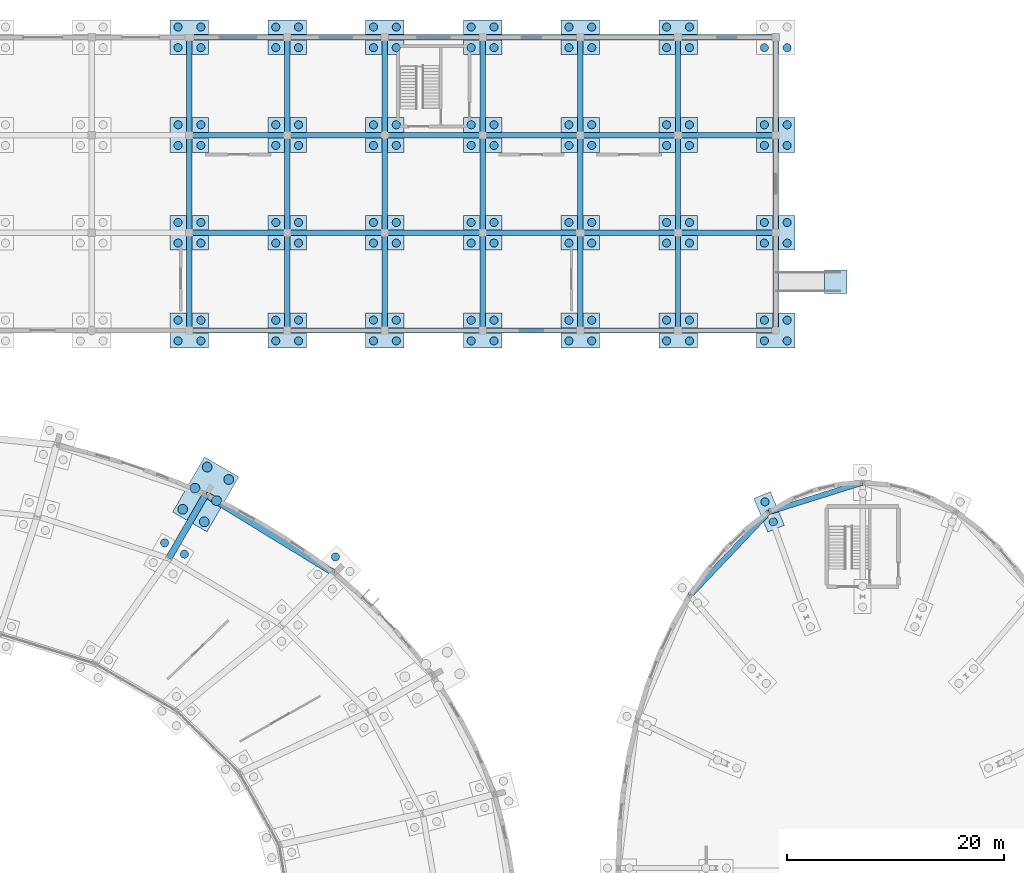
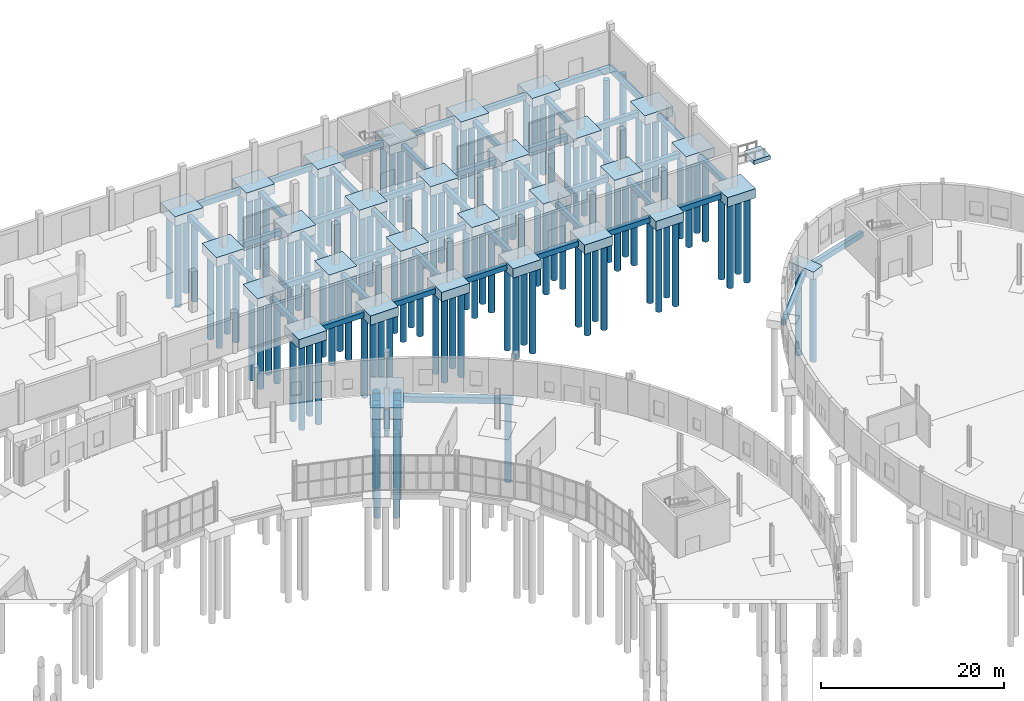
# One storey, part 12 of 118: 121 piles, 79 footings.
"""IFC4 building model written with IfcOpenShell, lengths in metres."""

from ifc_helpers import new_model, si_unit, direction, frame, origin, origin_2d, place, context, subcontext, project, spatial, rectangle, circle, extrude, material, material_profile, profile_set, type_object, element, save


model = new_model("IFC4")

# Units and contexts
model_context = context("Model", 3, precision=1e-05, world=origin(), true_north=direction((0.0, 1.0)))
body_context = subcontext(model_context, "Body", "Model", "MODEL_VIEW")
ifc_project = project(units=[si_unit("LENGTHUNIT", "METRE"), si_unit("AREAUNIT", "SQUARE_METRE"), si_unit("VOLUMEUNIT", "CUBIC_METRE"), si_unit("PLANEANGLEUNIT", "RADIAN"), si_unit("MASSUNIT", "GRAM", prefix="KILO")], contexts=[model_context])

# Site, building, storey
site_placement = place(None, origin())
site = spatial("IfcSite", under=ifc_project, at=site_placement, CompositionType="ELEMENT")
building_placement = place(site_placement, origin())
building = spatial("IfcBuilding", under=site, at=building_placement, Name="Kildeholm Park Wholesale Market", CompositionType="ELEMENT")
storey_placement = place(building_placement, origin())
storey = spatial("IfcBuildingStorey", under=building, at=storey_placement, Name="L00", CompositionType="ELEMENT", Elevation=0.0)

# Piles
ifc_material = material(Name="Concrete C35/45", Category="concrete")
ifc_material_profile_1 = material_profile(ifc_material, circle(Radius=0.375, at=origin_2d()), Name="PILE D750")
ifc_profile_set_1 = profile_set([ifc_material_profile_1], Name="Concrete C35/45")
pile_type_1 = type_object("IfcPileType", Name="Bored pile 750 mm", PredefinedType="BORED", material=ifc_profile_set_1)
pile_placement = place(storey_placement, frame((139.4462890625, 123.157958984375, -1.25), z_axis=(0.0, 0.0, -1.0), x_axis=(1.0, 0.0, 0.0)))
element("IfcPile", 1, at=pile_placement, inside=storey, type_object=pile_type_1, Name="Bored pile V1-OT-03.4 PIL-0052", PredefinedType="BORED", context=body_context, shape_type="SweptSolid", body=[
    extrude(circle(Radius=0.375, at=origin_2d()), origin(), (0.0, 0.0, 1.0), 11.25),
])
for number, where, z_axis, x_axis, name in (
    (2, (125.5341796875, 123.3994140625, -1.199951171875), (0.0, 0.0, -1.0), (1.0, 0.0, 0.0), "Bored pile V1-MD-04.2 PIL-0058"),
    (3, (123.7158203125, 124.44921875, -1.199951171875), (0.0, 0.0, -1.0), (1.0, 0.0, 0.0), "Bored pile V1-MD-04.4 PIL-0060"),
):
    element("IfcPile", number, at=place(storey_placement, frame(where, z_axis=z_axis, x_axis=x_axis)), inside=storey, type_object=pile_type_1, Name=name, PredefinedType="BORED", context=body_context, shape_type="SweptSolid", body=[
        extrude(circle(Radius=0.375, at=origin_2d()), origin(), (0.0, 0.0, 1.0), 11.300048828125),
    ])
for number, where, z_axis, x_axis, name in (
    (4, (179.772705078125, 126.3740234375, -0.949951171875), (0.0, 0.0, -1.0), (1.0, 0.0, 0.0), "Bored pile V2-OT-05.1 PIL-0335"),
    (5, (179.00732421875, 128.221923828125, -0.949951171875), (0.0, 0.0, -1.0), (1.0, 0.0, 0.0), "Bored pile V2-OT-05.2 PIL-0336"),
):
    element("IfcPile", number, at=place(storey_placement, frame(where, z_axis=z_axis, x_axis=x_axis)), inside=storey, type_object=pile_type_1, Name=name, PredefinedType="BORED", context=body_context, shape_type="SweptSolid", body=[
        extrude(circle(Radius=0.375, at=origin_2d()), origin(), (0.0, 0.0, 1.0), 11.550048828125),
    ])
for number, where, z_axis, x_axis, name in (
    (6, (124.949951171875, 143.050048828125, -1.14990234375), (0.0, 0.0, -1.0), (1.0, 0.0, 0.0), "Bored pile V4-126-144.1 PIL-0749"),
    (7, (127.050048828125, 143.050048828125, -1.14990234375), (0.0, 0.0, -1.0), (1.0, 0.0, 0.0), "Bored pile V4-126-144.2 PIL-0750"),
    (8, (124.949951171875, 144.949951171875, -1.14990234375), (0.0, 0.0, -1.0), (1.0, 0.0, 0.0), "Bored pile V4-126-144.3 PIL-0751"),
    (9, (127.050048828125, 144.949951171875, -1.14990234375), (0.0, 0.0, -1.0), (1.0, 0.0, 0.0), "Bored pile V4-126-144.4 PIL-0752"),
    (10, (124.949951171875, 152.050048828125, -1.14990234375), (0.0, 0.0, -1.0), (1.0, 0.0, 0.0), "Bored pile V4-126-153.1 PIL-0753"),
    (11, (127.050048828125, 152.050048828125, -1.14990234375), (0.0, 0.0, -1.0), (1.0, 0.0, 0.0), "Bored pile V4-126-153.2 PIL-0754"),
    (12, (124.949951171875, 153.949951171875, -1.14990234375), (0.0, 0.0, -1.0), (1.0, 0.0, 0.0), "Bored pile V4-126-153.3 PIL-0755"),
    (13, (127.050048828125, 153.949951171875, -1.14990234375), (0.0, 0.0, -1.0), (1.0, 0.0, 0.0), "Bored pile V4-126-153.4 PIL-0756"),
    (14, (124.949951171875, 161.050048828125, -1.14990234375), (0.0, 0.0, -1.0), (1.0, 0.0, 0.0), "Bored pile V4-126-162.1 PIL-0757"),
    (15, (127.050048828125, 161.050048828125, -1.14990234375), (0.0, 0.0, -1.0), (1.0, 0.0, 0.0), "Bored pile V4-126-162.2 PIL-0758"),
    (16, (124.949951171875, 162.949951171875, -1.14990234375), (0.0, 0.0, -1.0), (1.0, 0.0, 0.0), "Bored pile V4-126-162.3 PIL-0759"),
    (17, (127.050048828125, 162.949951171875, -1.14990234375), (0.0, 0.0, -1.0), (1.0, 0.0, 0.0), "Bored pile V4-126-162.4 PIL-0760"),
    (18, (124.949951171875, 170.050048828125, -1.14990234375), (0.0, 0.0, -1.0), (1.0, 0.0, 0.0), "Bored pile V4-126-171.1 PIL-0761"),
    (19, (127.050048828125, 170.050048828125, -1.14990234375), (0.0, 0.0, -1.0), (1.0, 0.0, 0.0), "Bored pile V4-126-171.2 PIL-0762"),
    (20, (124.949951171875, 171.949951171875, -1.14990234375), (0.0, 0.0, -1.0), (1.0, 0.0, 0.0), "Bored pile V4-126-171.3 PIL-0763"),
    (21, (127.050048828125, 171.949951171875, -1.14990234375), (0.0, 0.0, -1.0), (1.0, 0.0, 0.0), "Bored pile V4-126-171.4 PIL-0764"),
    (22, (133.949951171875, 143.050048828125, -1.14990234375), (0.0, 0.0, -1.0), (1.0, 0.0, 0.0), "Bored pile V4-135-144.1 PIL-0765"),
    (23, (136.050048828125, 143.050048828125, -1.14990234375), (0.0, 0.0, -1.0), (1.0, 0.0, 0.0), "Bored pile V4-135-144.2 PIL-0766"),
    (24, (133.949951171875, 144.949951171875, -1.14990234375), (0.0, 0.0, -1.0), (1.0, 0.0, 0.0), "Bored pile V4-135-144.3 PIL-0767"),
    (25, (136.050048828125, 144.949951171875, -1.14990234375), (0.0, 0.0, -1.0), (1.0, 0.0, 0.0), "Bored pile V4-135-144.4 PIL-0768"),
    (26, (133.949951171875, 152.050048828125, -1.14990234375), (0.0, 0.0, -1.0), (1.0, 0.0, 0.0), "Bored pile V4-135-153.1 PIL-0769"),
    (27, (136.050048828125, 152.050048828125, -1.14990234375), (0.0, 0.0, -1.0), (1.0, 0.0, 0.0), "Bored pile V4-135-153.2 PIL-0770"),
    (28, (133.949951171875, 153.949951171875, -1.14990234375), (0.0, 0.0, -1.0), (1.0, 0.0, 0.0), "Bored pile V4-135-153.3 PIL-0771"),
    (29, (136.050048828125, 153.949951171875, -1.14990234375), (0.0, 0.0, -1.0), (1.0, 0.0, 0.0), "Bored pile V4-135-153.4 PIL-0772"),
    (30, (133.949951171875, 161.050048828125, -1.14990234375), (0.0, 0.0, -1.0), (1.0, 0.0, 0.0), "Bored pile V4-135-162.1 PIL-0773"),
    (31, (136.050048828125, 161.050048828125, -1.14990234375), (0.0, 0.0, -1.0), (1.0, 0.0, 0.0), "Bored pile V4-135-162.2 PIL-0774"),
    (32, (133.949951171875, 162.949951171875, -1.14990234375), (0.0, 0.0, -1.0), (1.0, 0.0, 0.0), "Bored pile V4-135-162.3 PIL-0775"),
    (33, (136.050048828125, 162.949951171875, -1.14990234375), (0.0, 0.0, -1.0), (1.0, 0.0, 0.0), "Bored pile V4-135-162.4 PIL-0776"),
    (34, (133.949951171875, 170.050048828125, -1.14990234375), (0.0, 0.0, -1.0), (1.0, 0.0, 0.0), "Bored pile V4-135-171.1 PIL-0777"),
    (35, (136.050048828125, 170.050048828125, -1.14990234375), (0.0, 0.0, -1.0), (1.0, 0.0, 0.0), "Bored pile V4-135-171.2 PIL-0778"),
    (36, (133.949951171875, 171.949951171875, -1.14990234375), (0.0, 0.0, -1.0), (1.0, 0.0, 0.0), "Bored pile V4-135-171.3 PIL-0779"),
    (37, (136.050048828125, 171.949951171875, -1.14990234375), (0.0, 0.0, -1.0), (1.0, 0.0, 0.0), "Bored pile V4-135-171.4 PIL-0780"),
    (38, (142.949951171875, 143.050048828125, -1.14990234375), (0.0, 0.0, -1.0), (1.0, 0.0, 0.0), "Bored pile V4-144-144.1 PIL-0781"),
    (39, (145.050048828125, 143.050048828125, -1.14990234375), (0.0, 0.0, -1.0), (1.0, 0.0, 0.0), "Bored pile V4-144-144.2 PIL-0782"),
    (40, (142.949951171875, 144.949951171875, -1.14990234375), (0.0, 0.0, -1.0), (1.0, 0.0, 0.0), "Bored pile V4-144-144.3 PIL-0783"),
    (41, (145.050048828125, 144.949951171875, -1.14990234375), (0.0, 0.0, -1.0), (1.0, 0.0, 0.0), "Bored pile V4-144-144.4 PIL-0784"),
    (42, (142.949951171875, 152.050048828125, -1.14990234375), (0.0, 0.0, -1.0), (1.0, 0.0, 0.0), "Bored pile V4-144-153.1 PIL-0785"),
    (43, (145.050048828125, 152.050048828125, -1.14990234375), (0.0, 0.0, -1.0), (1.0, 0.0, 0.0), "Bored pile V4-144-153.2 PIL-0786"),
    (44, (142.949951171875, 153.949951171875, -1.14990234375), (0.0, 0.0, -1.0), (1.0, 0.0, 0.0), "Bored pile V4-144-153.3 PIL-0787"),
    (45, (145.050048828125, 153.949951171875, -1.14990234375), (0.0, 0.0, -1.0), (1.0, 0.0, 0.0), "Bored pile V4-144-153.4 PIL-0788"),
    (46, (142.949951171875, 161.050048828125, -1.14990234375), (0.0, 0.0, -1.0), (1.0, 0.0, 0.0), "Bored pile V4-144-162.1 PIL-0789"),
    (47, (145.050048828125, 161.050048828125, -1.14990234375), (0.0, 0.0, -1.0), (1.0, 0.0, 0.0), "Bored pile V4-144-162.2 PIL-0790"),
    (48, (142.949951171875, 162.949951171875, -1.14990234375), (0.0, 0.0, -1.0), (1.0, 0.0, 0.0), "Bored pile V4-144-162.3 PIL-0791"),
    (49, (145.050048828125, 162.949951171875, -1.14990234375), (0.0, 0.0, -1.0), (1.0, 0.0, 0.0), "Bored pile V4-144-162.4 PIL-0792"),
    (50, (142.949951171875, 170.050048828125, -1.14990234375), (0.0, 0.0, -1.0), (1.0, 0.0, 0.0), "Bored pile V4-144-171.1 PIL-0793"),
    (51, (145.050048828125, 170.050048828125, -1.14990234375), (0.0, 0.0, -1.0), (1.0, 0.0, 0.0), "Bored pile V4-144-171.2 PIL-0794"),
    (52, (142.949951171875, 171.949951171875, -1.14990234375), (0.0, 0.0, -1.0), (1.0, 0.0, 0.0), "Bored pile V4-144-171.3 PIL-0795"),
    (53, (145.050048828125, 171.949951171875, -1.14990234375), (0.0, 0.0, -1.0), (1.0, 0.0, 0.0), "Bored pile V4-144-171.4 PIL-0796"),
    (54, (151.949951171875, 143.050048828125, -1.14990234375), (0.0, 0.0, -1.0), (1.0, 0.0, 0.0), "Bored pile V4-153-144.1 PIL-0797"),
    (55, (154.050048828125, 143.050048828125, -1.14990234375), (0.0, 0.0, -1.0), (1.0, 0.0, 0.0), "Bored pile V4-153-144.2 PIL-0798"),
    (56, (151.949951171875, 144.949951171875, -1.14990234375), (0.0, 0.0, -1.0), (1.0, 0.0, 0.0), "Bored pile V4-153-144.3 PIL-0799"),
    (57, (154.050048828125, 144.949951171875, -1.14990234375), (0.0, 0.0, -1.0), (1.0, 0.0, 0.0), "Bored pile V4-153-144.4 PIL-0800"),
    (58, (151.949951171875, 152.050048828125, -1.14990234375), (0.0, 0.0, -1.0), (1.0, 0.0, 0.0), "Bored pile V4-153-153.1 PIL-0801"),
    (59, (154.050048828125, 152.050048828125, -1.14990234375), (0.0, 0.0, -1.0), (1.0, 0.0, 0.0), "Bored pile V4-153-153.2 PIL-0802"),
    (60, (151.949951171875, 153.949951171875, -1.14990234375), (0.0, 0.0, -1.0), (1.0, 0.0, 0.0), "Bored pile V4-153-153.3 PIL-0803"),
    (61, (154.050048828125, 153.949951171875, -1.14990234375), (0.0, 0.0, -1.0), (1.0, 0.0, 0.0), "Bored pile V4-153-153.4 PIL-0804"),
    (62, (151.949951171875, 161.050048828125, -1.14990234375), (0.0, 0.0, -1.0), (1.0, 0.0, 0.0), "Bored pile V4-153-162.1 PIL-0805"),
    (63, (154.050048828125, 161.050048828125, -1.14990234375), (0.0, 0.0, -1.0), (1.0, 0.0, 0.0), "Bored pile V4-153-162.2 PIL-0806"),
    (64, (151.949951171875, 162.949951171875, -1.14990234375), (0.0, 0.0, -1.0), (1.0, 0.0, 0.0), "Bored pile V4-153-162.3 PIL-0807"),
    (65, (154.050048828125, 162.949951171875, -1.14990234375), (0.0, 0.0, -1.0), (1.0, 0.0, 0.0), "Bored pile V4-153-162.4 PIL-0808"),
    (66, (151.949951171875, 170.050048828125, -1.14990234375), (0.0, 0.0, -1.0), (1.0, 0.0, 0.0), "Bored pile V4-153-171.1 PIL-0809"),
    (67, (154.050048828125, 170.050048828125, -1.14990234375), (0.0, 0.0, -1.0), (1.0, 0.0, 0.0), "Bored pile V4-153-171.2 PIL-0810"),
    (68, (151.949951171875, 171.949951171875, -1.14990234375), (0.0, 0.0, -1.0), (1.0, 0.0, 0.0), "Bored pile V4-153-171.3 PIL-0811"),
    (69, (154.050048828125, 171.949951171875, -1.14990234375), (0.0, 0.0, -1.0), (1.0, 0.0, 0.0), "Bored pile V4-153-171.4 PIL-0812"),
    (70, (160.949951171875, 143.050048828125, -1.14990234375), (0.0, 0.0, -1.0), (1.0, 0.0, 0.0), "Bored pile V4-162-144.1 PIL-0813"),
    (71, (163.050048828125, 143.050048828125, -1.14990234375), (0.0, 0.0, -1.0), (1.0, 0.0, 0.0), "Bored pile V4-162-144.2 PIL-0814"),
    (72, (160.949951171875, 144.949951171875, -1.14990234375), (0.0, 0.0, -1.0), (1.0, 0.0, 0.0), "Bored pile V4-162-144.3 PIL-0815"),
    (73, (163.050048828125, 144.949951171875, -1.14990234375), (0.0, 0.0, -1.0), (1.0, 0.0, 0.0), "Bored pile V4-162-144.4 PIL-0816"),
    (74, (160.949951171875, 152.050048828125, -1.14990234375), (0.0, 0.0, -1.0), (1.0, 0.0, 0.0), "Bored pile V4-162-153.1 PIL-0817"),
    (75, (163.050048828125, 152.050048828125, -1.14990234375), (0.0, 0.0, -1.0), (1.0, 0.0, 0.0), "Bored pile V4-162-153.2 PIL-0818"),
    (76, (160.949951171875, 153.949951171875, -1.14990234375), (0.0, 0.0, -1.0), (1.0, 0.0, 0.0), "Bored pile V4-162-153.3 PIL-0819"),
    (77, (163.050048828125, 153.949951171875, -1.14990234375), (0.0, 0.0, -1.0), (1.0, 0.0, 0.0), "Bored pile V4-162-153.4 PIL-0820"),
    (78, (160.949951171875, 161.050048828125, -1.14990234375), (0.0, 0.0, -1.0), (1.0, 0.0, 0.0), "Bored pile V4-162-162.1 PIL-0821"),
    (79, (163.050048828125, 161.050048828125, -1.14990234375), (0.0, 0.0, -1.0), (1.0, 0.0, 0.0), "Bored pile V4-162-162.2 PIL-0822"),
    (80, (160.949951171875, 162.949951171875, -1.14990234375), (0.0, 0.0, -1.0), (1.0, 0.0, 0.0), "Bored pile V4-162-162.3 PIL-0823"),
    (81, (163.050048828125, 162.949951171875, -1.14990234375), (0.0, 0.0, -1.0), (1.0, 0.0, 0.0), "Bored pile V4-162-162.4 PIL-0824"),
    (82, (160.949951171875, 170.050048828125, -1.14990234375), (0.0, 0.0, -1.0), (1.0, 0.0, 0.0), "Bored pile V4-162-171.1 PIL-0825"),
    (83, (163.050048828125, 170.050048828125, -1.14990234375), (0.0, 0.0, -1.0), (1.0, 0.0, 0.0), "Bored pile V4-162-171.2 PIL-0826"),
    (84, (160.949951171875, 171.949951171875, -1.14990234375), (0.0, 0.0, -1.0), (1.0, 0.0, 0.0), "Bored pile V4-162-171.3 PIL-0827"),
    (85, (163.050048828125, 171.949951171875, -1.14990234375), (0.0, 0.0, -1.0), (1.0, 0.0, 0.0), "Bored pile V4-162-171.4 PIL-0828"),
    (86, (169.949951171875, 143.050048828125, -1.14990234375), (0.0, 0.0, -1.0), (1.0, 0.0, 0.0), "Bored pile V4-171-144.1 PIL-0829"),
    (87, (172.050048828125, 143.050048828125, -1.14990234375), (0.0, 0.0, -1.0), (1.0, 0.0, 0.0), "Bored pile V4-171-144.2 PIL-0830"),
    (88, (169.949951171875, 144.949951171875, -1.14990234375), (0.0, 0.0, -1.0), (1.0, 0.0, 0.0), "Bored pile V4-171-144.3 PIL-0831"),
    (89, (172.050048828125, 144.949951171875, -1.14990234375), (0.0, 0.0, -1.0), (1.0, 0.0, 0.0), "Bored pile V4-171-144.4 PIL-0832"),
    (90, (169.949951171875, 152.050048828125, -1.14990234375), (0.0, 0.0, -1.0), (1.0, 0.0, 0.0), "Bored pile V4-171-153.1 PIL-0833"),
    (91, (172.050048828125, 152.050048828125, -1.14990234375), (0.0, 0.0, -1.0), (1.0, 0.0, 0.0), "Bored pile V4-171-153.2 PIL-0834"),
    (92, (169.949951171875, 153.949951171875, -1.14990234375), (0.0, 0.0, -1.0), (1.0, 0.0, 0.0), "Bored pile V4-171-153.3 PIL-0835"),
    (93, (172.050048828125, 153.949951171875, -1.14990234375), (0.0, 0.0, -1.0), (1.0, 0.0, 0.0), "Bored pile V4-171-153.4 PIL-0836"),
    (94, (169.949951171875, 161.050048828125, -1.14990234375), (0.0, 0.0, -1.0), (1.0, 0.0, 0.0), "Bored pile V4-171-162.1 PIL-0837"),
    (95, (172.050048828125, 161.050048828125, -1.14990234375), (0.0, 0.0, -1.0), (1.0, 0.0, 0.0), "Bored pile V4-171-162.2 PIL-0838"),
    (96, (169.949951171875, 162.949951171875, -1.14990234375), (0.0, 0.0, -1.0), (1.0, 0.0, 0.0), "Bored pile V4-171-162.3 PIL-0839"),
    (97, (172.050048828125, 162.949951171875, -1.14990234375), (0.0, 0.0, -1.0), (1.0, 0.0, 0.0), "Bored pile V4-171-162.4 PIL-0840"),
    (98, (169.949951171875, 170.050048828125, -1.14990234375), (0.0, 0.0, -1.0), (1.0, 0.0, 0.0), "Bored pile V4-171-171.1 PIL-0841"),
    (99, (172.050048828125, 170.050048828125, -1.14990234375), (0.0, 0.0, -1.0), (1.0, 0.0, 0.0), "Bored pile V4-171-171.2 PIL-0842"),
    (100, (169.949951171875, 171.949951171875, -1.14990234375), (0.0, 0.0, -1.0), (1.0, 0.0, 0.0), "Bored pile V4-171-171.3 PIL-0843"),
    (101, (172.050048828125, 171.949951171875, -1.14990234375), (0.0, 0.0, -1.0), (1.0, 0.0, 0.0), "Bored pile V4-171-171.4 PIL-0844"),
    (102, (178.949951171875, 143.050048828125, -1.14990234375), (0.0, 0.0, -1.0), (1.0, 0.0, 0.0), "Bored pile V4-180-144.1 PIL-0845"),
    (103, (181.050048828125, 143.050048828125, -1.14990234375), (0.0, 0.0, -1.0), (1.0, 0.0, 0.0), "Bored pile V4-180-144.2 PIL-0846"),
    (104, (178.949951171875, 144.949951171875, -1.14990234375), (0.0, 0.0, -1.0), (1.0, 0.0, 0.0), "Bored pile V4-180-144.3 PIL-0847"),
    (105, (181.050048828125, 144.949951171875, -1.14990234375), (0.0, 0.0, -1.0), (1.0, 0.0, 0.0), "Bored pile V4-180-144.4 PIL-0848"),
    (106, (178.949951171875, 152.050048828125, -1.14990234375), (0.0, 0.0, -1.0), (1.0, 0.0, 0.0), "Bored pile V4-180-153.1 PIL-0849"),
    (107, (181.050048828125, 152.050048828125, -1.14990234375), (0.0, 0.0, -1.0), (1.0, 0.0, 0.0), "Bored pile V4-180-153.2 PIL-0850"),
    (108, (178.949951171875, 153.949951171875, -1.14990234375), (0.0, 0.0, -1.0), (1.0, 0.0, 0.0), "Bored pile V4-180-153.3 PIL-0851"),
    (109, (181.050048828125, 153.949951171875, -1.14990234375), (0.0, 0.0, -1.0), (1.0, 0.0, 0.0), "Bored pile V4-180-153.4 PIL-0852"),
    (110, (178.949951171875, 161.050048828125, -1.14990234375), (0.0, 0.0, -1.0), (1.0, 0.0, 0.0), "Bored pile V4-180-162.1 PIL-0853"),
    (111, (181.050048828125, 161.050048828125, -1.14990234375), (0.0, 0.0, -1.0), (1.0, 0.0, 0.0), "Bored pile V4-180-162.2 PIL-0854"),
    (112, (178.949951171875, 162.949951171875, -1.14990234375), (0.0, 0.0, -1.0), (1.0, 0.0, 0.0), "Bored pile V4-180-162.3 PIL-0855"),
    (113, (181.050048828125, 162.949951171875, -1.14990234375), (0.0, 0.0, -1.0), (1.0, 0.0, 0.0), "Bored pile V4-180-162.4 PIL-0856"),
    (114, (178.949951171875, 170.050048828125, -1.14990234375), (0.0, 0.0, -1.0), (1.0, 0.0, 0.0), "Bored pile V4-180-171.1 PIL-0857"),
    (115, (181.050048828125, 170.050048828125, -1.14990234375), (0.0, 0.0, -1.0), (1.0, 0.0, 0.0), "Bored pile V4-180-171.2 PIL-0858"),
):
    element("IfcPile", number, at=place(storey_placement, frame(where, z_axis=z_axis, x_axis=x_axis)), inside=storey, type_object=pile_type_1, Name=name, PredefinedType="BORED", context=body_context, shape_type="SweptSolid", body=[
        extrude(circle(Radius=0.375, at=origin_2d()), origin(), (0.0, 0.0, 1.0), 11.35009765625),
    ])
ifc_material_profile_2 = material_profile(ifc_material, circle(Radius=0.449951171875, at=origin_2d()), Name="PILE D900")
ifc_profile_set_2 = profile_set([ifc_material_profile_2], Name="Concrete C35/45")
pile_type_2 = type_object("IfcPileType", Name="Bored pile 900 mm", PredefinedType="BORED", material=ifc_profile_set_2)
for number, where, z_axis, x_axis, name in (
    (116, (127.370849609375, 126.38037109375, -1.35009765625), (0.0, 0.0, -1.0), (1.0, 0.0, 0.0), "Bored pile V1-OT-04.1 PIL-0061"),
    (117, (128.495849609375, 128.3291015625, -1.35009765625), (0.0, 0.0, -1.0), (1.0, 0.0, 0.0), "Bored pile V1-OT-04.2 PIL-0062"),
    (118, (129.620849609375, 130.277587890625, -1.35009765625), (0.0, 0.0, -1.0), (1.0, 0.0, 0.0), "Bored pile V1-OT-04.3 PIL-0063"),
    (119, (125.379150390625, 127.530517578125, -1.35009765625), (0.0, 0.0, -1.0), (1.0, 0.0, 0.0), "Bored pile V1-OT-04.4 PIL-0064"),
    (120, (126.504150390625, 129.47900390625, -1.35009765625), (0.0, 0.0, -1.0), (1.0, 0.0, 0.0), "Bored pile V1-OT-04.5 PIL-0065"),
    (121, (127.629150390625, 131.427490234375, -1.35009765625), (0.0, 0.0, -1.0), (1.0, 0.0, 0.0), "Bored pile V1-OT-04.6 PIL-0066"),
):
    element("IfcPile", number, at=place(storey_placement, frame(where, z_axis=z_axis, x_axis=x_axis)), inside=storey, type_object=pile_type_2, Name=name, PredefinedType="BORED", context=body_context, shape_type="SweptSolid", body=[
        extrude(circle(Radius=0.449951171875, at=origin_2d()), origin(), (0.0, 0.0, 1.0), 11.14990234375),
    ])

# Footings
ifc_material_profile_3 = material_profile(ifc_material, rectangle(XDim=0.5, YDim=0.699951171875, at=origin_2d()), Name="FB 500x700")
ifc_profile_set_3 = profile_set([ifc_material_profile_3], Name="Concrete C35/45")
footing_type_1 = type_object("IfcFootingType", Name="Ground tie beam GB-1 FB 500x700", PredefinedType="FOOTING_BEAM", material=ifc_profile_set_3)
footing_1_placement = place(storey_placement, frame((188.0, 130.0, -0.64990234375), z_axis=(-0.954124515816, -0.299410100562, 0.0), x_axis=(0.299410100562, -0.954124515816, 0.0)))
element("IfcFooting", 122, at=footing_1_placement, inside=storey, type_object=footing_type_1, Name="Ground tie beam GB-V2-COT-04 FTG-0212", PredefinedType="FOOTING_BEAM", context=body_context, shape_type="SweptSolid", body=[
    extrude(rectangle(XDim=0.5, YDim=0.699951171875, at=origin_2d()), origin(), (0.0, 0.0, 1.0), 9.024169921875),
])
footing_2_placement = place(storey_placement, frame((179.389892578125, 127.298095703125, -0.64990234375), z_axis=(-0.688182467753, -0.725537656554, 0.0), x_axis=(0.725537656554, -0.688182467753, 0.0)))
element("IfcFooting", 123, at=footing_2_placement, inside=storey, type_object=footing_type_1, Name="Ground tie beam GB-V2-COT-05 FTG-0216", PredefinedType="FOOTING_BEAM", context=body_context, shape_type="SweptSolid", body=[
    extrude(rectangle(XDim=0.5, YDim=0.699951171875, at=origin_2d()), origin(), (0.0, 0.0, 1.0), 10.607421875),
])
for number, where, z_axis, x_axis, name in (
    (124, (126.0, 144.0, -0.64990234375), (1.0, 0.0, 0.0), (0.0, 1.0, 0.0), "Ground tie beam GB-V4-X-126-144 FTG-0541"),
    (125, (126.0, 144.0, -0.64990234375), (0.0, 1.0, 0.0), (-1.0, 0.0, 0.0), "Ground tie beam GB-V4-Y-126-144 FTG-0542"),
    (126, (126.0, 153.0, -0.64990234375), (1.0, 0.0, 0.0), (0.0, 1.0, 0.0), "Ground tie beam GB-V4-X-126-153 FTG-0543"),
    (127, (126.0, 153.0, -0.64990234375), (0.0, 1.0, 0.0), (-1.0, 0.0, 0.0), "Ground tie beam GB-V4-Y-126-153 FTG-0544"),
    (128, (126.0, 162.0, -0.64990234375), (1.0, 0.0, 0.0), (0.0, 1.0, 0.0), "Ground tie beam GB-V4-X-126-162 FTG-0545"),
    (129, (126.0, 162.0, -0.64990234375), (0.0, 1.0, 0.0), (-1.0, 0.0, 0.0), "Ground tie beam GB-V4-Y-126-162 FTG-0546"),
    (130, (126.0, 171.0, -0.64990234375), (1.0, 0.0, 0.0), (0.0, 1.0, 0.0), "Ground tie beam GB-V4-X-126-171 FTG-0547"),
    (131, (135.0, 144.0, -0.64990234375), (1.0, 0.0, 0.0), (0.0, 1.0, 0.0), "Ground tie beam GB-V4-X-135-144 FTG-0548"),
    (132, (135.0, 144.0, -0.64990234375), (0.0, 1.0, 0.0), (-1.0, 0.0, 0.0), "Ground tie beam GB-V4-Y-135-144 FTG-0549"),
    (133, (135.0, 153.0, -0.64990234375), (1.0, 0.0, 0.0), (0.0, 1.0, 0.0), "Ground tie beam GB-V4-X-135-153 FTG-0550"),
    (134, (135.0, 153.0, -0.64990234375), (0.0, 1.0, 0.0), (-1.0, 0.0, 0.0), "Ground tie beam GB-V4-Y-135-153 FTG-0551"),
    (135, (135.0, 162.0, -0.64990234375), (1.0, 0.0, 0.0), (0.0, 1.0, 0.0), "Ground tie beam GB-V4-X-135-162 FTG-0552"),
    (136, (135.0, 162.0, -0.64990234375), (0.0, 1.0, 0.0), (-1.0, 0.0, 0.0), "Ground tie beam GB-V4-Y-135-162 FTG-0553"),
    (137, (135.0, 171.0, -0.64990234375), (1.0, 0.0, 0.0), (0.0, 1.0, 0.0), "Ground tie beam GB-V4-X-135-171 FTG-0554"),
    (138, (144.0, 144.0, -0.64990234375), (1.0, 0.0, 0.0), (0.0, 1.0, 0.0), "Ground tie beam GB-V4-X-144-144 FTG-0555"),
    (139, (144.0, 144.0, -0.64990234375), (0.0, 1.0, 0.0), (-1.0, 0.0, 0.0), "Ground tie beam GB-V4-Y-144-144 FTG-0556"),
    (140, (144.0, 153.0, -0.64990234375), (1.0, 0.0, 0.0), (0.0, 1.0, 0.0), "Ground tie beam GB-V4-X-144-153 FTG-0557"),
    (141, (144.0, 153.0, -0.64990234375), (0.0, 1.0, 0.0), (-1.0, 0.0, 0.0), "Ground tie beam GB-V4-Y-144-153 FTG-0558"),
    (142, (144.0, 162.0, -0.64990234375), (1.0, 0.0, 0.0), (0.0, 1.0, 0.0), "Ground tie beam GB-V4-X-144-162 FTG-0559"),
    (143, (144.0, 162.0, -0.64990234375), (0.0, 1.0, 0.0), (-1.0, 0.0, 0.0), "Ground tie beam GB-V4-Y-144-162 FTG-0560"),
    (144, (144.0, 171.0, -0.64990234375), (1.0, 0.0, 0.0), (0.0, 1.0, 0.0), "Ground tie beam GB-V4-X-144-171 FTG-0561"),
    (145, (153.0, 144.0, -0.64990234375), (1.0, 0.0, 0.0), (0.0, 1.0, 0.0), "Ground tie beam GB-V4-X-153-144 FTG-0562"),
    (146, (153.0, 144.0, -0.64990234375), (0.0, 1.0, 0.0), (-1.0, 0.0, 0.0), "Ground tie beam GB-V4-Y-153-144 FTG-0563"),
    (147, (153.0, 153.0, -0.64990234375), (1.0, 0.0, 0.0), (0.0, 1.0, 0.0), "Ground tie beam GB-V4-X-153-153 FTG-0564"),
    (148, (153.0, 153.0, -0.64990234375), (0.0, 1.0, 0.0), (-1.0, 0.0, 0.0), "Ground tie beam GB-V4-Y-153-153 FTG-0565"),
    (149, (153.0, 162.0, -0.64990234375), (1.0, 0.0, 0.0), (0.0, 1.0, 0.0), "Ground tie beam GB-V4-X-153-162 FTG-0566"),
    (150, (153.0, 162.0, -0.64990234375), (0.0, 1.0, 0.0), (-1.0, 0.0, 0.0), "Ground tie beam GB-V4-Y-153-162 FTG-0567"),
    (151, (153.0, 171.0, -0.64990234375), (1.0, 0.0, 0.0), (0.0, 1.0, 0.0), "Ground tie beam GB-V4-X-153-171 FTG-0568"),
    (152, (162.0, 144.0, -0.64990234375), (1.0, 0.0, 0.0), (0.0, 1.0, 0.0), "Ground tie beam GB-V4-X-162-144 FTG-0569"),
    (153, (162.0, 144.0, -0.64990234375), (0.0, 1.0, 0.0), (-1.0, 0.0, 0.0), "Ground tie beam GB-V4-Y-162-144 FTG-0570"),
    (154, (162.0, 153.0, -0.64990234375), (1.0, 0.0, 0.0), (0.0, 1.0, 0.0), "Ground tie beam GB-V4-X-162-153 FTG-0571"),
    (155, (162.0, 153.0, -0.64990234375), (0.0, 1.0, 0.0), (-1.0, 0.0, 0.0), "Ground tie beam GB-V4-Y-162-153 FTG-0572"),
    (156, (162.0, 162.0, -0.64990234375), (1.0, 0.0, 0.0), (0.0, 1.0, 0.0), "Ground tie beam GB-V4-X-162-162 FTG-0573"),
    (157, (162.0, 162.0, -0.64990234375), (0.0, 1.0, 0.0), (-1.0, 0.0, 0.0), "Ground tie beam GB-V4-Y-162-162 FTG-0574"),
    (158, (162.0, 171.0, -0.64990234375), (1.0, 0.0, 0.0), (0.0, 1.0, 0.0), "Ground tie beam GB-V4-X-162-171 FTG-0575"),
    (159, (171.0, 144.0, -0.64990234375), (1.0, 0.0, 0.0), (0.0, 1.0, 0.0), "Ground tie beam GB-V4-X-171-144 FTG-0576"),
    (160, (171.0, 144.0, -0.64990234375), (0.0, 1.0, 0.0), (-1.0, 0.0, 0.0), "Ground tie beam GB-V4-Y-171-144 FTG-0577"),
    (161, (171.0, 153.0, -0.64990234375), (1.0, 0.0, 0.0), (0.0, 1.0, 0.0), "Ground tie beam GB-V4-X-171-153 FTG-0578"),
    (162, (171.0, 153.0, -0.64990234375), (0.0, 1.0, 0.0), (-1.0, 0.0, 0.0), "Ground tie beam GB-V4-Y-171-153 FTG-0579"),
    (163, (171.0, 162.0, -0.64990234375), (1.0, 0.0, 0.0), (0.0, 1.0, 0.0), "Ground tie beam GB-V4-X-171-162 FTG-0580"),
    (164, (171.0, 162.0, -0.64990234375), (0.0, 1.0, 0.0), (-1.0, 0.0, 0.0), "Ground tie beam GB-V4-Y-171-162 FTG-0581"),
    (165, (171.0, 171.0, -0.64990234375), (1.0, 0.0, 0.0), (0.0, 1.0, 0.0), "Ground tie beam GB-V4-X-171-171 FTG-0582"),
    (166, (180.0, 144.0, -0.64990234375), (0.0, 1.0, 0.0), (-1.0, 0.0, 0.0), "Ground tie beam GB-V4-Y-180-144 FTG-0583"),
    (167, (180.0, 153.0, -0.64990234375), (0.0, 1.0, 0.0), (-1.0, 0.0, 0.0), "Ground tie beam GB-V4-Y-180-153 FTG-0584"),
    (168, (180.0, 162.0, -0.64990234375), (0.0, 1.0, 0.0), (-1.0, 0.0, 0.0), "Ground tie beam GB-V4-Y-180-162 FTG-0585"),
):
    element("IfcFooting", number, at=place(storey_placement, frame(where, z_axis=z_axis, x_axis=x_axis)), inside=storey, type_object=footing_type_1, Name=name, PredefinedType="FOOTING_BEAM", context=body_context, shape_type="SweptSolid", body=[
        extrude(rectangle(XDim=0.5, YDim=0.699951171875, at=origin_2d()), origin(), (0.0, 0.0, 1.0), 9.0),
    ])
ifc_material_profile_4 = material_profile(ifc_material, rectangle(XDim=0.60009765625, YDim=0.800048828125, at=origin_2d()), Name="FB 600x800")
ifc_profile_set_4 = profile_set([ifc_material_profile_4], Name="Concrete C35/45")
footing_type_2 = type_object("IfcFootingType", Name="Ground tie beam GB-2 FB 600x800", PredefinedType="FOOTING_BEAM", material=ifc_profile_set_4)
footing_3_placement = place(storey_placement, frame((139.304931640625, 121.673095703125, -0.699951171875), z_axis=(-0.852740373682, 0.522335002745, 0.0), x_axis=(-0.522335002745, -0.852740373682, 0.0)))
element("IfcFooting", 169, at=footing_3_placement, inside=storey, type_object=footing_type_2, Name="Ground tie beam GB-V1-COT-03 FTG-0092", PredefinedType="FOOTING_BEAM", context=body_context, shape_type="SweptSolid", body=[
    extrude(rectangle(XDim=0.60009765625, YDim=0.800048828125, at=origin_2d()), origin(), (0.0, 0.0, 1.0), 13.843505859375),
])
footing_4_placement = place(storey_placement, frame((124.10009765625, 123.014892578125, -0.699951171875), z_axis=(0.499977295307, 0.866038511948, 0.0), x_axis=(-0.866038511948, 0.499977295307, 0.0)))
element("IfcFooting", 170, at=footing_4_placement, inside=storey, type_object=footing_type_2, Name="Ground tie beam GB-V1-RAD2-04 FTG-0094", PredefinedType="FOOTING_BEAM", context=body_context, shape_type="SweptSolid", body=[
    extrude(rectangle(XDim=0.60009765625, YDim=0.800048828125, at=origin_2d()), origin(), (0.0, 0.0, 1.0), 6.800048828125),
])
footing_type_3 = type_object("IfcFootingType", Name="Pad footing PF-RM 2050x2150x550", PredefinedType="PAD_FOOTING", material=ifc_material)
footing_5_placement = place(storey_placement, frame((185.52001953125, 148.5, -0.85009765625), z_axis=(0.0, 0.0, 1.0), x_axis=(-1.0, 0.0, 0.0)))
element("IfcFooting", 171, at=footing_5_placement, inside=storey, type_object=footing_type_3, Name="Ramp toe pad footing RM-DK-E FTG-0813", PredefinedType="PAD_FOOTING", context=body_context, shape_type="SweptSolid", body=[
    extrude(rectangle(XDim=2.050048828125, YDim=2.14990234375, at=origin_2d()), origin(), (0.0, 0.0, 1.0), 0.550048828125),
])
footing_type_4 = type_object("IfcFootingType", Name="Pile cap PC-2C 3350x1650x1050", PredefinedType="PILE_CAP", material=ifc_material)
footing_6_placement = place(storey_placement, frame((179.389892578125, 127.298095703125, -1.0498046875), z_axis=(0.0, 0.0, 1.0), x_axis=(-0.382683432365, 0.923879532511, 0.0)))
element("IfcFooting", 172, at=footing_6_placement, inside=storey, type_object=footing_type_4, Name="Pile cap V2-OT-05 FTG-0214", PredefinedType="PILE_CAP", context=body_context, shape_type="SweptSolid", body=[
    extrude(rectangle(XDim=3.35009765625, YDim=1.64990234375, at=origin_2d()), origin(), (0.0, 0.0, 1.0), 1.050048828125),
])
footing_type_5 = type_object("IfcFootingType", Name="Pile cap PC-4D 3550x3200x1250", PredefinedType="PILE_CAP", material=ifc_material)
for number, where, z_axis, x_axis, name in (
    (173, (126.0, 144.0, -1.25), (0.0, 0.0, 1.0), (1.0, 0.0, 0.0), "Pile cap V4-126-144 FTG-0370"),
    (174, (126.0, 153.0, -1.25), (0.0, 0.0, 1.0), (1.0, 0.0, 0.0), "Pile cap V4-126-153 FTG-0371"),
    (175, (126.0, 162.0, -1.25), (0.0, 0.0, 1.0), (1.0, 0.0, 0.0), "Pile cap V4-126-162 FTG-0372"),
    (176, (126.0, 171.0, -1.25), (0.0, 0.0, 1.0), (1.0, 0.0, 0.0), "Pile cap V4-126-171 FTG-0373"),
    (177, (135.0, 144.0, -1.25), (0.0, 0.0, 1.0), (1.0, 0.0, 0.0), "Pile cap V4-135-144 FTG-0374"),
    (178, (135.0, 153.0, -1.25), (0.0, 0.0, 1.0), (1.0, 0.0, 0.0), "Pile cap V4-135-153 FTG-0375"),
    (179, (135.0, 162.0, -1.25), (0.0, 0.0, 1.0), (1.0, 0.0, 0.0), "Pile cap V4-135-162 FTG-0376"),
    (180, (135.0, 171.0, -1.25), (0.0, 0.0, 1.0), (1.0, 0.0, 0.0), "Pile cap V4-135-171 FTG-0377"),
    (181, (144.0, 144.0, -1.25), (0.0, 0.0, 1.0), (1.0, 0.0, 0.0), "Pile cap V4-144-144 FTG-0378"),
    (182, (144.0, 153.0, -1.25), (0.0, 0.0, 1.0), (1.0, 0.0, 0.0), "Pile cap V4-144-153 FTG-0379"),
    (183, (144.0, 162.0, -1.25), (0.0, 0.0, 1.0), (1.0, 0.0, 0.0), "Pile cap V4-144-162 FTG-0380"),
    (184, (144.0, 171.0, -1.25), (0.0, 0.0, 1.0), (1.0, 0.0, 0.0), "Pile cap V4-144-171 FTG-0381"),
    (185, (153.0, 144.0, -1.25), (0.0, 0.0, 1.0), (1.0, 0.0, 0.0), "Pile cap V4-153-144 FTG-0382"),
    (186, (153.0, 153.0, -1.25), (0.0, 0.0, 1.0), (1.0, 0.0, 0.0), "Pile cap V4-153-153 FTG-0383"),
    (187, (153.0, 162.0, -1.25), (0.0, 0.0, 1.0), (1.0, 0.0, 0.0), "Pile cap V4-153-162 FTG-0384"),
    (188, (153.0, 171.0, -1.25), (0.0, 0.0, 1.0), (1.0, 0.0, 0.0), "Pile cap V4-153-171 FTG-0385"),
    (189, (162.0, 144.0, -1.25), (0.0, 0.0, 1.0), (1.0, 0.0, 0.0), "Pile cap V4-162-144 FTG-0386"),
    (190, (162.0, 153.0, -1.25), (0.0, 0.0, 1.0), (1.0, 0.0, 0.0), "Pile cap V4-162-153 FTG-0387"),
    (191, (162.0, 162.0, -1.25), (0.0, 0.0, 1.0), (1.0, 0.0, 0.0), "Pile cap V4-162-162 FTG-0388"),
    (192, (162.0, 171.0, -1.25), (0.0, 0.0, 1.0), (1.0, 0.0, 0.0), "Pile cap V4-162-171 FTG-0389"),
    (193, (171.0, 144.0, -1.25), (0.0, 0.0, 1.0), (1.0, 0.0, 0.0), "Pile cap V4-171-144 FTG-0390"),
    (194, (171.0, 153.0, -1.25), (0.0, 0.0, 1.0), (1.0, 0.0, 0.0), "Pile cap V4-171-153 FTG-0391"),
    (195, (171.0, 162.0, -1.25), (0.0, 0.0, 1.0), (1.0, 0.0, 0.0), "Pile cap V4-171-162 FTG-0392"),
    (196, (171.0, 171.0, -1.25), (0.0, 0.0, 1.0), (1.0, 0.0, 0.0), "Pile cap V4-171-171 FTG-0393"),
    (197, (180.0, 144.0, -1.25), (0.0, 0.0, 1.0), (1.0, 0.0, 0.0), "Pile cap V4-180-144 FTG-0394"),
    (198, (180.0, 153.0, -1.25), (0.0, 0.0, 1.0), (1.0, 0.0, 0.0), "Pile cap V4-180-153 FTG-0395"),
    (199, (180.0, 162.0, -1.25), (0.0, 0.0, 1.0), (1.0, 0.0, 0.0), "Pile cap V4-180-162 FTG-0396"),
):
    element("IfcFooting", number, at=place(storey_placement, frame(where, z_axis=z_axis, x_axis=x_axis)), inside=storey, type_object=footing_type_5, Name=name, PredefinedType="PILE_CAP", context=body_context, shape_type="SweptSolid", body=[
        extrude(rectangle(XDim=3.550048828125, YDim=3.199951171875, at=origin_2d()), origin(), (0.0, 0.0, 1.0), 1.25),
    ])
footing_type_6 = type_object("IfcFootingType", Name="Pile cap PC-6A 5850x3650x1450", PredefinedType="PILE_CAP", material=ifc_material)
footing_7_placement = place(storey_placement, frame((127.5, 128.904052734375, -1.4501953125), z_axis=(0.0, 0.0, 1.0), x_axis=(0.5, 0.866025403784, 0.0)))
element("IfcFooting", 200, at=footing_7_placement, inside=storey, type_object=footing_type_6, Name="Pile cap V1-OT-04 FTG-0015", PredefinedType="PILE_CAP", context=body_context, shape_type="SweptSolid", body=[
    extrude(rectangle(XDim=5.85009765625, YDim=3.64990234375, at=origin_2d()), origin(), (0.0, 0.0, 1.0), 1.449951171875),
])

save(model, "model.ifc")
